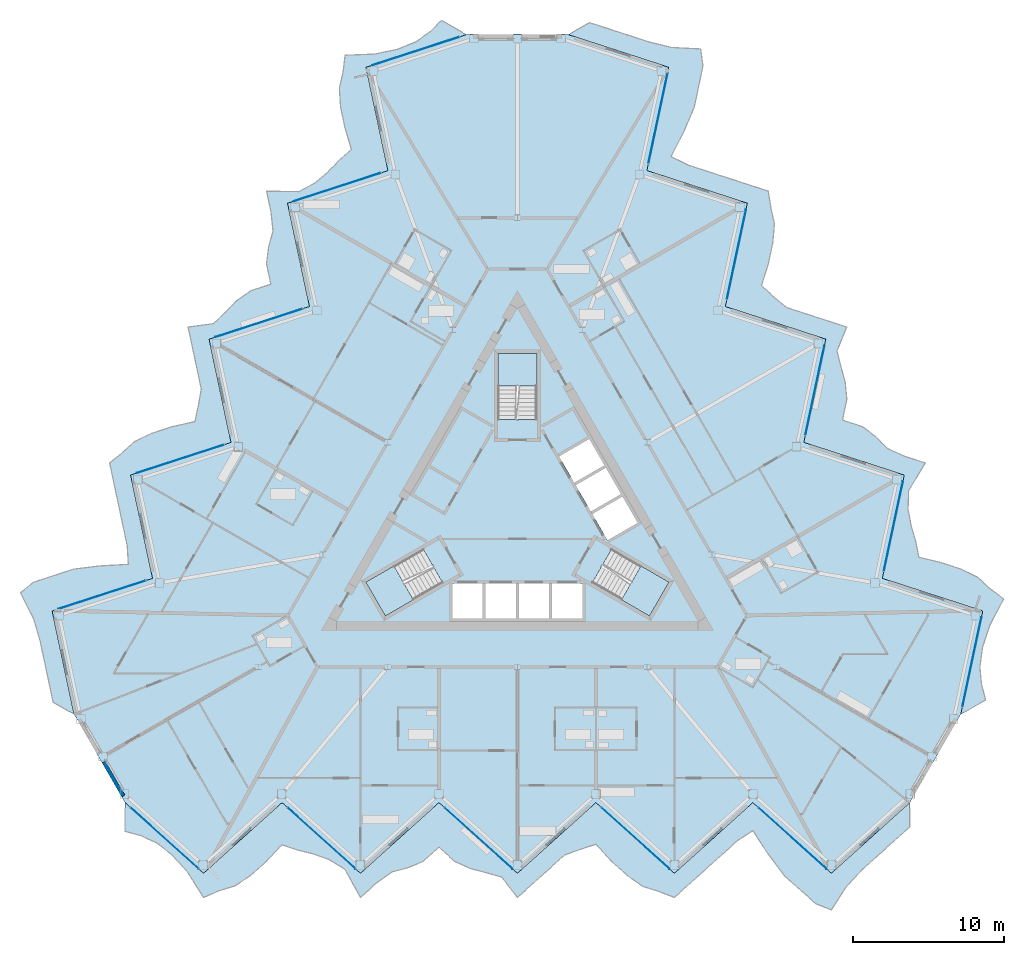
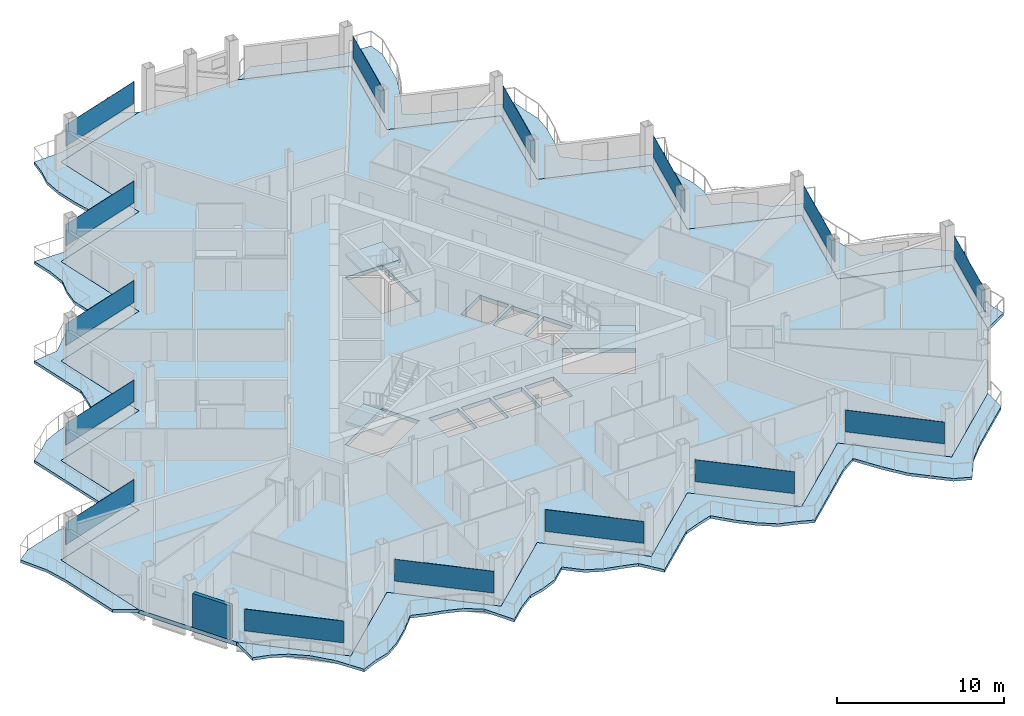
# One storey, part 12 of 27: 15 plates, 7 slabs, 1 wall, 18 elements without a shape of their own.
"""IFC4 building model written with IfcOpenShell, lengths in metres."""

from ifc_helpers import new_model, si_unit, direction, frame, frame_2d, origin, origin_2d, place, context, subcontext, project, spatial, polyline, rectangle, outline, extrude, material, layer, layer_set, type_object, element, aggregate, save


model = new_model("IFC4")

# Units and contexts
model_context = context("Model", 3, precision=1e-05, world=origin(), true_north=direction((0.0, 1.0)))
body_context = subcontext(model_context, "Body", "Model", "MODEL_VIEW")
ifc_project = project(units=[si_unit("LENGTHUNIT", "METRE"), si_unit("AREAUNIT", "SQUARE_METRE"), si_unit("VOLUMEUNIT", "CUBIC_METRE"), si_unit("PLANEANGLEUNIT", "RADIAN"), si_unit("MASSUNIT", "GRAM", prefix="KILO")], contexts=[model_context])

# Site, building, storey
site_placement = place(None, origin())
site = spatial("IfcSite", under=ifc_project, at=site_placement, CompositionType="ELEMENT")
building_placement = place(site_placement, origin())
building = spatial("IfcBuilding", under=site, at=building_placement, Name="Cormorant Prow Tower", CompositionType="ELEMENT")
storey_placement = place(building_placement, frame((0.0, 0.0, 318.800048828125)))
storey = spatial("IfcBuildingStorey", under=building, at=storey_placement, Name="L70", CompositionType="ELEMENT", Elevation=318.800048828125)

# Slabs
ifc_material_1 = material(Name="Concrete C40/50", Category="concrete")
ifc_layer_1 = layer(ifc_material_1, 0.199951171875)
ifc_layer_set_1 = layer_set([ifc_layer_1], Name="Concrete C40/50")
slab_type_1 = type_object("IfcSlabType", Name="Balcony slab 200", PredefinedType="FLOOR", material=ifc_layer_set_1)
slab_1_placement = place(storey_placement, frame((0.0, 0.0, -0.199951171875)))
element("IfcSlab", 1, at=slab_1_placement, inside=storey, type_object=slab_type_1, Name="Balcony slab S L70", PredefinedType="FLOOR", context=body_context, shape_type="SweptSolid", body=[
    extrude(outline(polyline([(-25.964111328125, -18.886474609375), (-25.964111328125, -20.78662109375), (-24.925537109375, -21.069580078125), (-23.886962890625, -21.544189453125), (-22.848388671875, -22.345458984375), (-21.809814453125, -23.512939453125), (-20.771240234375, -25.162109375), (-19.732666015625, -24.71533203125), (-18.694091796875, -24.397216796875), (-17.655517578125, -23.706787109375), (-16.616943359375, -22.771728515625), (-15.578369140625, -21.678955078125), (-14.539794921875, -22.0263671875), (-13.501220703125, -22.284423828125), (-12.462890625, -22.65185546875), (-11.42431640625, -23.295166015625), (-10.3857421875, -25.162109375), (-9.34716796875, -24.22705078125), (-8.30859375, -23.473388671875), (-7.27001953125, -23.204833984375), (-6.2314453125, -22.771728515625), (-5.19287109375, -21.83642578125), (-4.154296875, -22.771728515625), (-3.11572265625, -23.248046875), (-2.0771484375, -23.521728515625), (-1.03857421875, -23.816162109375), (0.0, -25.162109375), (1.03857421875, -24.22705078125), (2.0771484375, -23.2919921875), (3.11572265625, -22.356689453125), (4.154296875, -21.979248046875), (5.19287109375, -21.644287109375), (6.2314453125, -22.771728515625), (7.27001953125, -23.706787109375), (8.30859375, -24.433837890625), (9.34716796875, -24.76318359375), (10.3857421875, -25.162109375), (11.42431640625, -24.22705078125), (12.462890625, -23.2919921875), (13.501220703125, -22.356689453125), (14.539794921875, -21.421630859375), (15.578369140625, -20.738037109375), (16.616943359375, -22.331787109375), (17.655517578125, -23.706787109375), (18.694091796875, -24.641845703125), (19.732666015625, -25.56884765625), (20.771240234375, -25.990478515625), (21.809814453125, -24.386962890625), (22.848388671875, -23.2919921875), (23.886962890625, -22.356689453125), (24.925537109375, -21.421630859375), (25.964111328125, -20.486572265625), (25.964111328125, -18.886474609375), (24.925537109375, -19.82177734375), (23.886962890625, -20.7568359375), (22.848388671875, -21.69189453125), (21.809814453125, -22.626953125), (20.771240234375, -23.562255859375), (19.732666015625, -22.626953125), (18.694091796875, -21.69189453125), (17.655517578125, -20.7568359375), (16.616943359375, -19.82177734375), (15.578369140625, -18.886474609375), (14.539794921875, -19.82177734375), (13.501220703125, -20.7568359375), (12.462890625, -21.69189453125), (11.42431640625, -22.626953125), (10.3857421875, -23.562255859375), (9.34716796875, -22.626953125), (8.30859375, -21.69189453125), (7.27001953125, -20.7568359375), (6.2314453125, -19.82177734375), (5.19287109375, -18.886474609375), (4.154296875, -19.82177734375), (3.11572265625, -20.7568359375), (2.0771484375, -21.69189453125), (1.03857421875, -22.626953125), (0.0, -23.562255859375), (-1.03857421875, -22.626953125), (-2.0771484375, -21.69189453125), (-3.11572265625, -20.7568359375), (-4.154296875, -19.82177734375), (-5.19287109375, -18.886474609375), (-6.2314453125, -19.82177734375), (-7.27001953125, -20.7568359375), (-8.30859375, -21.69189453125), (-9.34716796875, -22.626953125), (-10.3857421875, -23.562255859375), (-11.42431640625, -22.626953125), (-12.462890625, -21.69189453125), (-13.501220703125, -20.7568359375), (-14.539794921875, -19.82177734375), (-15.578369140625, -18.886474609375), (-16.616943359375, -19.82177734375), (-17.655517578125, -20.7568359375), (-18.694091796875, -21.69189453125), (-19.732666015625, -22.626953125), (-20.771240234375, -23.562255859375), (-21.809814453125, -22.626953125), (-22.848388671875, -21.69189453125), (-23.886962890625, -20.7568359375), (-24.925537109375, -19.82177734375), (-25.964111328125, -18.886474609375)])), origin(), (0.0, 0.0, 1.0), 0.199951171875),
])
slab_2_placement = place(storey_placement, frame((0.0, 0.0, -0.199951171875)))
element("IfcSlab", 2, at=slab_2_placement, inside=storey, type_object=slab_type_1, Name="Balcony slab ENE L70", PredefinedType="FLOOR", context=body_context, shape_type="SweptSolid", body=[
    extrude(outline(polyline([(29.33837890625, -13.042236328125), (30.983642578125, -12.09228515625), (30.70947265625, -11.05126953125), (30.601318359375, -9.91455078125), (30.77587890625, -8.614501953125), (31.267822265625, -7.13134765625), (32.1767578125, -5.407470703125), (31.2705078125, -4.7314453125), (30.475830078125, -3.990966796875), (29.3583984375, -3.436767578125), (28.029296875, -3.0048828125), (26.563720703125, -2.65185546875), (26.345458984375, -1.57861328125), (26.049560546875, -0.55029296875), (25.848388671875, 0.53271484375), (25.886474609375, 1.75390625), (26.98388671875, 3.5869140625), (25.65478515625, 4.018798828125), (24.482666015625, 4.541259765625), (23.73095703125, 5.306396484375), (22.83642578125, 5.9892578125), (21.50732421875, 6.421142578125), (21.798095703125, 7.7880859375), (21.691162109375, 8.92578125), (21.408935546875, 9.9619140625), (21.14453125, 11.008544921875), (21.791015625, 12.5810546875), (20.4619140625, 13.012939453125), (19.1328125, 13.44482421875), (17.8037109375, 13.876708984375), (16.957275390625, 14.587158203125), (16.148193359375, 15.3193359375), (16.605224609375, 16.782470703125), (16.895751953125, 18.1494140625), (17.006103515625, 19.412353515625), (16.77197265625, 20.476318359375), (16.59814453125, 21.575439453125), (15.26904296875, 22.007080078125), (13.93994140625, 22.43896484375), (12.61083984375, 22.870849609375), (11.28173828125, 23.302734375), (10.17041015625, 23.8603515625), (11.031494140625, 25.556640625), (11.702880859375, 27.1435546875), (11.993408203125, 28.510498046875), (12.27685546875, 29.87353515625), (12.122802734375, 30.983642578125), (10.214599609375, 31.081298828125), (8.7470703125, 31.433349609375), (7.41796875, 31.865234375), (6.0888671875, 32.296875), (4.759765625, 32.728759765625), (3.374267578125, 31.928955078125), (4.703369140625, 31.4970703125), (6.032470703125, 31.065185546875), (7.361572265625, 30.63330078125), (8.690673828125, 30.201416015625), (10.019775390625, 29.76953125), (9.729248046875, 28.402587890625), (9.438720703125, 27.03564453125), (9.148193359375, 25.668701171875), (8.857666015625, 24.301513671875), (8.56689453125, 22.9345703125), (9.896240234375, 22.502685546875), (11.225341796875, 22.07080078125), (12.554443359375, 21.63916015625), (13.883544921875, 21.207275390625), (15.212646484375, 20.775390625), (14.922119140625, 19.408447265625), (14.631591796875, 18.041259765625), (14.3408203125, 16.67431640625), (14.05029296875, 15.307373046875), (13.759765625, 13.9404296875), (15.0888671875, 13.508544921875), (16.41796875, 13.07666015625), (17.747314453125, 12.644775390625), (19.076416015625, 12.212890625), (20.405517578125, 11.781005859375), (20.114990234375, 10.4140625), (19.82421875, 9.047119140625), (19.53369140625, 7.68017578125), (19.2431640625, 6.313232421875), (18.95263671875, 4.946044921875), (20.28173828125, 4.514404296875), (21.61083984375, 4.08251953125), (22.93994140625, 3.650634765625), (24.26904296875, 3.21875), (25.598388671875, 2.786865234375), (25.3076171875, 1.419921875), (25.01708984375, 0.052978515625), (24.7265625, -1.314208984375), (24.43603515625, -2.68115234375), (24.1455078125, -4.048095703125), (25.474609375, -4.47998046875), (26.8037109375, -4.911865234375), (28.1328125, -5.34375), (29.4619140625, -5.775634765625), (30.791015625, -6.207275390625), (30.50048828125, -7.574462890625), (30.2099609375, -8.94140625), (29.91943359375, -10.308349609375), (29.62890625, -11.67529296875), (29.33837890625, -13.042236328125)])), origin(), (0.0, 0.0, 1.0), 0.199951171875),
])
slab_3_placement = place(storey_placement, frame((0.0, 0.0, -0.199951171875)))
element("IfcSlab", 3, at=slab_3_placement, inside=storey, type_object=slab_type_1, Name="Balcony slab WNW L70", PredefinedType="FLOOR", context=body_context, shape_type="SweptSolid", body=[
    extrude(outline(polyline([(-3.374267578125, 31.928955078125), (-5.01953125, 32.87890625), (-5.783935546875, 32.120849609375), (-6.71435546875, 31.458740234375), (-7.927490234375, 30.9599609375), (-9.457763671875, 30.644287109375), (-11.405517578125, 30.569580078125), (-11.537841796875, 29.44677734375), (-11.781494140625, 28.38818359375), (-11.702880859375, 27.1435546875), (-11.412353515625, 25.776611328125), (-10.9853515625, 24.330810546875), (-11.805419921875, 23.605224609375), (-12.548095703125, 22.834716796875), (-13.385498046875, 22.118896484375), (-14.462158203125, 21.541259765625), (-16.59814453125, 21.575439453125), (-16.3076171875, 20.208251953125), (-16.17431640625, 18.93212890625), (-16.4609375, 17.8984375), (-16.605224609375, 16.782470703125), (-16.314697265625, 15.415283203125), (-17.643798828125, 14.983642578125), (-18.575439453125, 14.322265625), (-19.331787109375, 13.559814453125), (-20.10595703125, 12.807373046875), (-21.791015625, 12.5810546875), (-21.50048828125, 11.214111328125), (-21.2099609375, 9.84716796875), (-20.91943359375, 8.480224609375), (-21.111572265625, 7.391845703125), (-21.3408203125, 6.324951171875), (-22.83642578125, 5.9892578125), (-24.165771484375, 5.557373046875), (-25.314453125, 5.021484375), (-26.119140625, 4.286865234375), (-26.98388671875, 3.5869140625), (-26.693359375, 2.219970703125), (-26.40283203125, 0.852783203125), (-26.1123046875, -0.51416015625), (-25.82177734375, -1.881103515625), (-25.748779296875, -3.122314453125), (-27.6484375, -3.224853515625), (-29.3583984375, -3.436767578125), (-30.6875, -3.86865234375), (-32.009521484375, -4.3046875), (-32.89404296875, -4.9931640625), (-32.024658203125, -6.694580078125), (-31.595703125, -8.141357421875), (-31.304931640625, -9.50830078125), (-31.014404296875, -10.875244140625), (-30.723876953125, -12.242431640625), (-29.33837890625, -13.042236328125), (-29.62890625, -11.67529296875), (-29.91943359375, -10.308349609375), (-30.2099609375, -8.94140625), (-30.50048828125, -7.574462890625), (-30.791015625, -6.207275390625), (-29.4619140625, -5.775634765625), (-28.1328125, -5.34375), (-26.8037109375, -4.911865234375), (-25.474609375, -4.47998046875), (-24.1455078125, -4.048095703125), (-24.43603515625, -2.68115234375), (-24.7265625, -1.314208984375), (-25.01708984375, 0.052978515625), (-25.3076171875, 1.419921875), (-25.598388671875, 2.786865234375), (-24.26904296875, 3.21875), (-22.93994140625, 3.650634765625), (-21.61083984375, 4.08251953125), (-20.28173828125, 4.514404296875), (-18.95263671875, 4.946044921875), (-19.2431640625, 6.313232421875), (-19.53369140625, 7.68017578125), (-19.82421875, 9.047119140625), (-20.114990234375, 10.4140625), (-20.405517578125, 11.781005859375), (-19.076416015625, 12.212890625), (-17.747314453125, 12.644775390625), (-16.41796875, 13.07666015625), (-15.0888671875, 13.508544921875), (-13.759765625, 13.9404296875), (-14.05029296875, 15.307373046875), (-14.3408203125, 16.67431640625), (-14.631591796875, 18.041259765625), (-14.922119140625, 19.408447265625), (-15.212646484375, 20.775390625), (-13.883544921875, 21.207275390625), (-12.554443359375, 21.63916015625), (-11.225341796875, 22.07080078125), (-9.896240234375, 22.502685546875), (-8.56689453125, 22.9345703125), (-8.857666015625, 24.301513671875), (-9.148193359375, 25.668701171875), (-9.438720703125, 27.03564453125), (-9.729248046875, 28.402587890625), (-10.019775390625, 29.76953125), (-8.690673828125, 30.201416015625), (-7.361572265625, 30.63330078125), (-6.032470703125, 31.065185546875), (-4.703369140625, 31.4970703125), (-3.374267578125, 31.928955078125)])), origin(), (0.0, 0.0, 1.0), 0.199951171875),
])
ifc_material_2 = material(Name="Concrete C40/50", Category="concrete")
ifc_layer_2 = layer(ifc_material_2, 0.300048828125)
ifc_layer_set_2 = layer_set([ifc_layer_2], Name="Concrete C40/50")
slab_type_2 = type_object("IfcSlabType", Name="Post-tensioned flat slab 300", PredefinedType="FLOOR", material=ifc_layer_set_2)
slab_4_placement = place(storey_placement, frame((0.0, 0.0, -0.300048828125)))
element("IfcSlab", 4, at=slab_4_placement, inside=storey, type_object=slab_type_2, Name="Floor slab L70", PredefinedType="FLOOR", context=body_context, shape_type="SweptSolid", body=[
    extrude(outline(polyline([(-8.56689453125, 22.9345703125), (-15.212646484375, 20.775390625), (-13.759765625, 13.9404296875), (-20.405517578125, 11.781005859375), (-18.95263671875, 4.946044921875), (-25.598388671875, 2.786865234375), (-24.1455078125, -4.048095703125), (-30.791015625, -6.207275390625), (-29.33837890625, -13.042236328125), (-27.651123046875, -15.96435546875), (-25.964111328125, -18.886474609375), (-20.771240234375, -23.562255859375), (-15.578369140625, -18.886474609375), (-10.3857421875, -23.562255859375), (-5.19287109375, -18.886474609375), (0.0, -23.562255859375), (5.19287109375, -18.886474609375), (10.3857421875, -23.562255859375), (15.578369140625, -18.886474609375), (20.771240234375, -23.562255859375), (25.964111328125, -18.886474609375), (27.651123046875, -15.96435546875), (29.33837890625, -13.042236328125), (30.791015625, -6.207275390625), (24.1455078125, -4.048095703125), (25.598388671875, 2.786865234375), (18.95263671875, 4.946044921875), (20.405517578125, 11.781005859375), (13.759765625, 13.9404296875), (15.212646484375, 20.775390625), (8.56689453125, 22.9345703125), (10.019775390625, 29.76953125), (3.374267578125, 31.928955078125), (0.0, 31.928955078125), (-3.374267578125, 31.928955078125), (-10.019775390625, 29.76953125), (-8.56689453125, 22.9345703125)]), holes=[polyline([(-4.300048828125, -4.39990234375), (-2.300048828125, -4.39990234375), (-2.300048828125, -6.699951171875), (-4.300048828125, -6.699951171875), (-4.300048828125, -4.39990234375)]), polyline([(-0.10009765625, -4.39990234375), (-0.10009765625, -6.699951171875), (-2.10009765625, -6.699951171875), (-2.10009765625, -4.39990234375), (-0.10009765625, -4.39990234375)]), polyline([(2.10009765625, -6.699951171875), (0.10009765625, -6.699951171875), (0.10009765625, -4.39990234375), (2.10009765625, -4.39990234375), (2.10009765625, -6.699951171875)]), polyline([(2.300048828125, -6.699951171875), (2.300048828125, -4.39990234375), (4.300048828125, -4.39990234375), (4.300048828125, -6.699951171875), (2.300048828125, -6.699951171875)]), polyline([(5.96044921875, -1.52392578125), (4.96044921875, 0.2080078125), (6.952392578125, 1.358154296875), (7.952392578125, -0.373779296875), (5.96044921875, -1.52392578125)]), polyline([(3.860595703125, 2.11328125), (5.852294921875, 3.263427734375), (6.852294921875, 1.53125), (4.860595703125, 0.38134765625), (3.860595703125, 2.11328125)]), polyline([(4.75244140625, 5.168701171875), (5.75244140625, 3.4365234375), (3.760498046875, 2.28662109375), (2.760498046875, 4.018798828125), (4.75244140625, 5.168701171875)]), polyline([(-4.947509765625, -4.3505859375), (-8.738037109375, -6.5390625), (-10.031982421875, -4.2978515625), (-6.241455078125, -2.109375), (-4.947509765625, -4.3505859375)]), polyline([(10.031982421875, -4.2978515625), (8.738037109375, -6.5390625), (4.947509765625, -4.3505859375), (6.241455078125, -2.109375), (10.031982421875, -4.2978515625)]), polyline([(1.2939453125, 10.8369140625), (1.2939453125, 6.459716796875), (-1.2939453125, 6.459716796875), (-1.2939453125, 10.8369140625), (1.2939453125, 10.8369140625)])]), origin(), (0.0, 0.0, 1.0), 0.300048828125),
])

# Curtain wall, plate
ifc_material_3 = material(Name="Aluminium 6063-T6", Category="aluminium")
ifc_layer_3 = layer(ifc_material_3, 0.159912109375)
ifc_layer_set_3 = layer_set([ifc_layer_3], Name="Aluminium 6063-T6")
curtain_wall_type = type_object("IfcCurtainWallType", Name="Residential unitised curtain wall 160", PredefinedType="NOTDEFINED", material=ifc_layer_set_3)
curtain_wall_1_placement = place(storey_placement, origin())
curtain_wall_1 = element("IfcCurtainWall", 5, at=curtain_wall_1_placement, inside=storey, type_object=curtain_wall_type, Name="Residential curtain wall S00", PredefinedType="NOTDEFINED")
ifc_material_4 = material(Name="Clear glass", Category="glass")
ifc_layer_4 = layer(ifc_material_4, 0.02392578125)
ifc_layer_set_4 = layer_set([ifc_layer_4], Name="Clear glass")
plate_type = type_object("IfcPlateType", Name="Residential glass panel 24", PredefinedType="CURTAIN_PANEL", material=ifc_layer_set_4)
plate_1_placement = place(storey_placement, frame((-23.34912109375, -21.2412109375, 0.89990234375), z_axis=(0.0, 0.0, 1.0), x_axis=(0.743144813413, -0.669130619757, 0.0)))
plate_1 = element("IfcPlate", 6, at=plate_1_placement, type_object=plate_type, Name="Residential glass panel S00", PredefinedType="CURTAIN_PANEL", context=body_context, shape_type="SweptSolid", body=[
    extrude(rectangle(XDim=6.069580078125, YDim=0.02392578125, at=origin_2d()), origin(), (0.0, 0.0, 1.0), 1.587890625),
])
aggregate(curtain_wall_1, [plate_1])

curtain_wall_2_placement = place(storey_placement, origin())
curtain_wall_2 = element("IfcCurtainWall", 7, at=curtain_wall_2_placement, inside=storey, type_object=curtain_wall_type, Name="Residential curtain wall S02", PredefinedType="NOTDEFINED")
plate_2_placement = place(storey_placement, frame((-12.96337890625, -21.2412109375, 0.89990234375), z_axis=(0.0, 0.0, 1.0), x_axis=(0.743144813413, -0.669130619757, 0.0)))
plate_2 = element("IfcPlate", 8, at=plate_2_placement, type_object=plate_type, Name="Residential glass panel S02", PredefinedType="CURTAIN_PANEL", context=body_context, shape_type="SweptSolid", body=[
    extrude(rectangle(XDim=6.069580078125, YDim=0.02392578125, at=origin_2d()), origin(), (0.0, 0.0, 1.0), 1.587890625),
])
aggregate(curtain_wall_2, [plate_2])

curtain_wall_3_placement = place(storey_placement, origin())
curtain_wall_3 = element("IfcCurtainWall", 9, at=curtain_wall_3_placement, inside=storey, type_object=curtain_wall_type, Name="Residential curtain wall S04", PredefinedType="NOTDEFINED")
plate_3_placement = place(storey_placement, frame((-2.577880859375, -21.2412109375, 0.89990234375), z_axis=(0.0, 0.0, 1.0), x_axis=(0.743144813413, -0.669130619757, 0.0)))
plate_3 = element("IfcPlate", 10, at=plate_3_placement, type_object=plate_type, Name="Residential glass panel S04", PredefinedType="CURTAIN_PANEL", context=body_context, shape_type="SweptSolid", body=[
    extrude(rectangle(XDim=6.069580078125, YDim=0.02392578125, at=origin_2d()), origin(), (0.0, 0.0, 1.0), 1.587890625),
])
aggregate(curtain_wall_3, [plate_3])

curtain_wall_4_placement = place(storey_placement, origin())
curtain_wall_4 = element("IfcCurtainWall", 11, at=curtain_wall_4_placement, inside=storey, type_object=curtain_wall_type, Name="Residential curtain wall S06", PredefinedType="NOTDEFINED")
plate_4_placement = place(storey_placement, frame((7.807861328125, -21.2412109375, 0.89990234375), z_axis=(0.0, 0.0, 1.0), x_axis=(0.743144813413, -0.669130619757, 0.0)))
plate_4 = element("IfcPlate", 12, at=plate_4_placement, type_object=plate_type, Name="Residential glass panel S06", PredefinedType="CURTAIN_PANEL", context=body_context, shape_type="SweptSolid", body=[
    extrude(rectangle(XDim=6.069580078125, YDim=0.02392578125, at=origin_2d()), origin(), (0.0, 0.0, 1.0), 1.587890625),
])
aggregate(curtain_wall_4, [plate_4])

curtain_wall_5_placement = place(storey_placement, origin())
curtain_wall_5 = element("IfcCurtainWall", 13, at=curtain_wall_5_placement, inside=storey, type_object=curtain_wall_type, Name="Residential curtain wall S08", PredefinedType="NOTDEFINED")
plate_5_placement = place(storey_placement, frame((18.193359375, -21.2412109375, 0.89990234375), z_axis=(0.0, 0.0, 1.0), x_axis=(0.743144813413, -0.669130619757, 0.0)))
plate_5 = element("IfcPlate", 14, at=plate_5_placement, type_object=plate_type, Name="Residential glass panel S08", PredefinedType="CURTAIN_PANEL", context=body_context, shape_type="SweptSolid", body=[
    extrude(rectangle(XDim=6.069580078125, YDim=0.02392578125, at=origin_2d()), origin(), (0.0, 0.0, 1.0), 1.587890625),
])
aggregate(curtain_wall_5, [plate_5])

curtain_wall_6_placement = place(storey_placement, origin())
curtain_wall_6 = element("IfcCurtainWall", 15, at=curtain_wall_6_placement, inside=storey, type_object=curtain_wall_type, Name="Residential curtain wall ENE00", PredefinedType="NOTDEFINED")
plate_6_placement = place(storey_placement, frame((30.06982421875, -9.600341796875, 0.89990234375), z_axis=(0.0, 0.0, 1.0), x_axis=(0.207911622991, 0.978147615151, 0.0)))
plate_6 = element("IfcPlate", 16, at=plate_6_placement, type_object=plate_type, Name="Residential glass panel ENE00", PredefinedType="CURTAIN_PANEL", context=body_context, shape_type="SweptSolid", body=[
    extrude(rectangle(XDim=6.069580078125, YDim=0.02392578125, at=origin_2d()), origin(), (0.0, 0.0, 1.0), 1.587890625),
])
aggregate(curtain_wall_6, [plate_6])

curtain_wall_7_placement = place(storey_placement, origin())
curtain_wall_7 = element("IfcCurtainWall", 17, at=curtain_wall_7_placement, inside=storey, type_object=curtain_wall_type, Name="Residential curtain wall ENE02", PredefinedType="NOTDEFINED")
plate_7_placement = place(storey_placement, frame((24.876953125, -0.606201171875, 0.89990234375), z_axis=(0.0, 0.0, 1.0), x_axis=(0.207911759908, 0.978147586048, 0.0)))
plate_7 = element("IfcPlate", 18, at=plate_7_placement, type_object=plate_type, Name="Residential glass panel ENE02", PredefinedType="CURTAIN_PANEL", context=body_context, shape_type="SweptSolid", body=[
    extrude(rectangle(XDim=6.069580078125, YDim=0.02392578125, at=origin_2d()), origin(), (0.0, 0.0, 1.0), 1.587890625),
])
aggregate(curtain_wall_7, [plate_7])

curtain_wall_8_placement = place(storey_placement, origin())
curtain_wall_8 = element("IfcCurtainWall", 19, at=curtain_wall_8_placement, inside=storey, type_object=curtain_wall_type, Name="Residential curtain wall ENE04", PredefinedType="NOTDEFINED")
plate_8_placement = place(storey_placement, frame((19.684326171875, 8.38818359375, 0.89990234375), z_axis=(0.0, 0.0, 1.0), x_axis=(0.207911759908, 0.978147586048, 0.0)))
plate_8 = element("IfcPlate", 20, at=plate_8_placement, type_object=plate_type, Name="Residential glass panel ENE04", PredefinedType="CURTAIN_PANEL", context=body_context, shape_type="SweptSolid", body=[
    extrude(rectangle(XDim=6.069580078125, YDim=0.02392578125, at=origin_2d()), origin(), (0.0, 0.0, 1.0), 1.587890625),
])
aggregate(curtain_wall_8, [plate_8])

curtain_wall_9_placement = place(storey_placement, origin())
curtain_wall_9 = element("IfcCurtainWall", 21, at=curtain_wall_9_placement, inside=storey, type_object=curtain_wall_type, Name="Residential curtain wall ENE06", PredefinedType="NOTDEFINED")
plate_9_placement = place(storey_placement, frame((14.491455078125, 17.38232421875, 0.89990234375), z_axis=(0.0, 0.0, 1.0), x_axis=(0.207911759908, 0.978147586048, 0.0)))
plate_9 = element("IfcPlate", 22, at=plate_9_placement, type_object=plate_type, Name="Residential glass panel ENE06", PredefinedType="CURTAIN_PANEL", context=body_context, shape_type="SweptSolid", body=[
    extrude(rectangle(XDim=6.069580078125, YDim=0.02392578125, at=origin_2d()), origin(), (0.0, 0.0, 1.0), 1.587890625),
])
aggregate(curtain_wall_9, [plate_9])

curtain_wall_10_placement = place(storey_placement, origin())
curtain_wall_10 = element("IfcCurtainWall", 23, at=curtain_wall_10_placement, inside=storey, type_object=curtain_wall_type, Name="Residential curtain wall ENE08", PredefinedType="NOTDEFINED")
plate_10_placement = place(storey_placement, frame((9.298583984375, 26.37646484375, 0.89990234375), z_axis=(0.0, 0.0, 1.0), x_axis=(0.207911622991, 0.978147615151, 0.0)))
plate_10 = element("IfcPlate", 24, at=plate_10_placement, type_object=plate_type, Name="Residential glass panel ENE08", PredefinedType="CURTAIN_PANEL", context=body_context, shape_type="SweptSolid", body=[
    extrude(rectangle(XDim=6.069580078125, YDim=0.02392578125, at=origin_2d()), origin(), (0.0, 0.0, 1.0), 1.587890625),
])
aggregate(curtain_wall_10, [plate_10])

curtain_wall_11_placement = place(storey_placement, origin())
curtain_wall_11 = element("IfcCurtainWall", 25, at=curtain_wall_11_placement, inside=storey, type_object=curtain_wall_type, Name="Residential curtain wall WNW00", PredefinedType="NOTDEFINED")
plate_11_placement = place(storey_placement, frame((-6.720703125, 30.841552734375, 0.89990234375), z_axis=(0.0, 0.0, 1.0), x_axis=(-0.951056532303, -0.309016945109, 0.0)))
plate_11 = element("IfcPlate", 26, at=plate_11_placement, type_object=plate_type, Name="Residential glass panel WNW00", PredefinedType="CURTAIN_PANEL", context=body_context, shape_type="SweptSolid", body=[
    extrude(rectangle(XDim=6.069580078125, YDim=0.02392578125, at=origin_2d()), origin(), (0.0, 0.0, 1.0), 1.587890625),
])
aggregate(curtain_wall_11, [plate_11])

curtain_wall_12_placement = place(storey_placement, origin())
curtain_wall_12 = element("IfcCurtainWall", 27, at=curtain_wall_12_placement, inside=storey, type_object=curtain_wall_type, Name="Residential curtain wall WNW02", PredefinedType="NOTDEFINED")
plate_12_placement = place(storey_placement, frame((-11.91357421875, 21.84716796875, 0.89990234375), z_axis=(0.0, 0.0, 1.0), x_axis=(-0.951056532303, -0.309016945109, 0.0)))
plate_12 = element("IfcPlate", 28, at=plate_12_placement, type_object=plate_type, Name="Residential glass panel WNW02", PredefinedType="CURTAIN_PANEL", context=body_context, shape_type="SweptSolid", body=[
    extrude(rectangle(XDim=6.069580078125, YDim=0.02392578125, at=origin_2d()), origin(), (0.0, 0.0, 1.0), 1.587890625),
])
aggregate(curtain_wall_12, [plate_12])

curtain_wall_13_placement = place(storey_placement, origin())
curtain_wall_13 = element("IfcCurtainWall", 29, at=curtain_wall_13_placement, inside=storey, type_object=curtain_wall_type, Name="Residential curtain wall WNW04", PredefinedType="NOTDEFINED")
plate_13_placement = place(storey_placement, frame((-17.1064453125, 12.85302734375, 0.89990234375), z_axis=(0.0, 0.0, 1.0), x_axis=(-0.95105649024, -0.309017074565, 0.0)))
plate_13 = element("IfcPlate", 30, at=plate_13_placement, type_object=plate_type, Name="Residential glass panel WNW04", PredefinedType="CURTAIN_PANEL", context=body_context, shape_type="SweptSolid", body=[
    extrude(rectangle(XDim=6.069580078125, YDim=0.02392578125, at=origin_2d()), origin(), (0.0, 0.0, 1.0), 1.587890625),
])
aggregate(curtain_wall_13, [plate_13])

curtain_wall_14_placement = place(storey_placement, origin())
curtain_wall_14 = element("IfcCurtainWall", 31, at=curtain_wall_14_placement, inside=storey, type_object=curtain_wall_type, Name="Residential curtain wall WNW06", PredefinedType="NOTDEFINED")
plate_14_placement = place(storey_placement, frame((-22.29931640625, 3.85888671875, 0.89990234375), z_axis=(0.0, 0.0, 1.0), x_axis=(-0.951056518636, -0.309016987171, 0.0)))
plate_14 = element("IfcPlate", 32, at=plate_14_placement, type_object=plate_type, Name="Residential glass panel WNW06", PredefinedType="CURTAIN_PANEL", context=body_context, shape_type="SweptSolid", body=[
    extrude(rectangle(XDim=6.069580078125, YDim=0.02392578125, at=origin_2d()), origin(), (0.0, 0.0, 1.0), 1.587890625),
])
aggregate(curtain_wall_14, [plate_14])

curtain_wall_15_placement = place(storey_placement, origin())
curtain_wall_15 = element("IfcCurtainWall", 33, at=curtain_wall_15_placement, inside=storey, type_object=curtain_wall_type, Name="Residential curtain wall WNW08", PredefinedType="NOTDEFINED")
plate_15_placement = place(storey_placement, frame((-27.491943359375, -5.135498046875, 0.89990234375), z_axis=(0.0, 0.0, 1.0), x_axis=(-0.951056532303, -0.309016945109, 0.0)))
plate_15 = element("IfcPlate", 34, at=plate_15_placement, type_object=plate_type, Name="Residential glass panel WNW08", PredefinedType="CURTAIN_PANEL", context=body_context, shape_type="SweptSolid", body=[
    extrude(rectangle(XDim=6.069580078125, YDim=0.02392578125, at=origin_2d()), origin(), (0.0, 0.0, 1.0), 1.587890625),
])
aggregate(curtain_wall_15, [plate_15])

# Stair, slab
ifc_material_5 = material(Name="Exit stair 18 risers")
stair_type = type_object("IfcStairType", Name="Exit stair 18 risers", PredefinedType="HALF_TURN_STAIR", material=ifc_material_5)
stair_1_placement = place(storey_placement, origin())
stair_1 = element("IfcStair", 35, at=stair_1_placement, inside=storey, type_object=stair_type, Name="L70 Exit stair ST1", PredefinedType="HALF_TURN_STAIR")
ifc_material_6 = material(Name="Concrete 5000 psi", Category="concrete")
ifc_layer_5 = layer(ifc_material_6, 0.199951171875)
ifc_layer_set_5 = layer_set([ifc_layer_5], Name="Concrete 5000 psi")
slab_type_3 = type_object("IfcSlabType", Name="Stair landing 200", PredefinedType="LANDING", material=ifc_layer_set_5)
slab_5_placement = place(storey_placement, frame((0.0, 0.0, 1.5)))
slab_5 = element("IfcSlab", 36, at=slab_5_placement, type_object=slab_type_3, Name="ST1 landing 1", PredefinedType="LANDING", context=body_context, shape_type="SweptSolid", body=[
    extrude(outline(polyline([(-8.17431640625, -3.225341796875), (-10.031982421875, -4.2978515625), (-8.738037109375, -6.5390625), (-6.88037109375, -5.466552734375), (-8.17431640625, -3.225341796875)])), origin(), (0.0, 0.0, 1.0), 0.199951171875),
])
aggregate(stair_1, [slab_5])

stair_2_placement = place(storey_placement, origin())
stair_2 = element("IfcStair", 37, at=stair_2_placement, inside=storey, type_object=stair_type, Name="L70 Exit stair ST2", PredefinedType="HALF_TURN_STAIR")
slab_6_placement = place(storey_placement, frame((0.0, 0.0, 1.5)))
slab_6 = element("IfcSlab", 38, at=slab_6_placement, type_object=slab_type_3, Name="ST2 landing 1", PredefinedType="LANDING", context=body_context, shape_type="SweptSolid", body=[
    extrude(outline(polyline([(6.88037109375, -5.466552734375), (8.738037109375, -6.5390625), (10.031982421875, -4.2978515625), (8.17431640625, -3.225341796875), (6.88037109375, -5.466552734375)])), origin(), (0.0, 0.0, 1.0), 0.199951171875),
])
aggregate(stair_2, [slab_6])

stair_3_placement = place(storey_placement, origin())
stair_3 = element("IfcStair", 39, at=stair_3_placement, inside=storey, type_object=stair_type, Name="L70 Exit stair ST3", PredefinedType="HALF_TURN_STAIR")
slab_7_placement = place(storey_placement, frame((0.0, 0.0, 1.5)))
slab_7 = element("IfcSlab", 40, at=slab_7_placement, type_object=slab_type_3, Name="ST3 landing 1", PredefinedType="LANDING", context=body_context, shape_type="SweptSolid", body=[
    extrude(outline(polyline([(1.2939453125, 8.69189453125), (1.2939453125, 10.8369140625), (-1.2939453125, 10.8369140625), (-1.2939453125, 8.69189453125), (1.2939453125, 8.69189453125)])), origin(), (0.0, 0.0, 1.0), 0.199951171875),
])
aggregate(stair_3, [slab_7])

# Wall
ifc_material_7 = material(Name="Terracotta", Category="masonry")
ifc_layer_6 = layer(ifc_material_7, 0.25)
ifc_layer_set_6 = layer_set([ifc_layer_6], Name="Terracotta")
wall_type = type_object("IfcWallType", Name="Terracotta bay wall 250", PredefinedType="SOLIDWALL", material=ifc_layer_set_6)
wall_placement = place(storey_placement, frame((-27.377685546875, -16.18798828125, 0.0), z_axis=(0.0, 0.0, 1.0), x_axis=(0.499992367345, -0.866029810455, 0.0)))
element("IfcWall", 41, at=wall_placement, inside=storey, type_object=wall_type, Name="Terracotta bay wall WSW01", PredefinedType="SOLIDWALL", context=body_context, shape_type="SweptSolid", body=[
    extrude(rectangle(XDim=2.60986328125, YDim=0.25, at=frame_2d((1.304931640625, 0.0))), origin(), (0.0, 0.0, 1.0), 2.48779296875),
])

save(model, "model.ifc")
